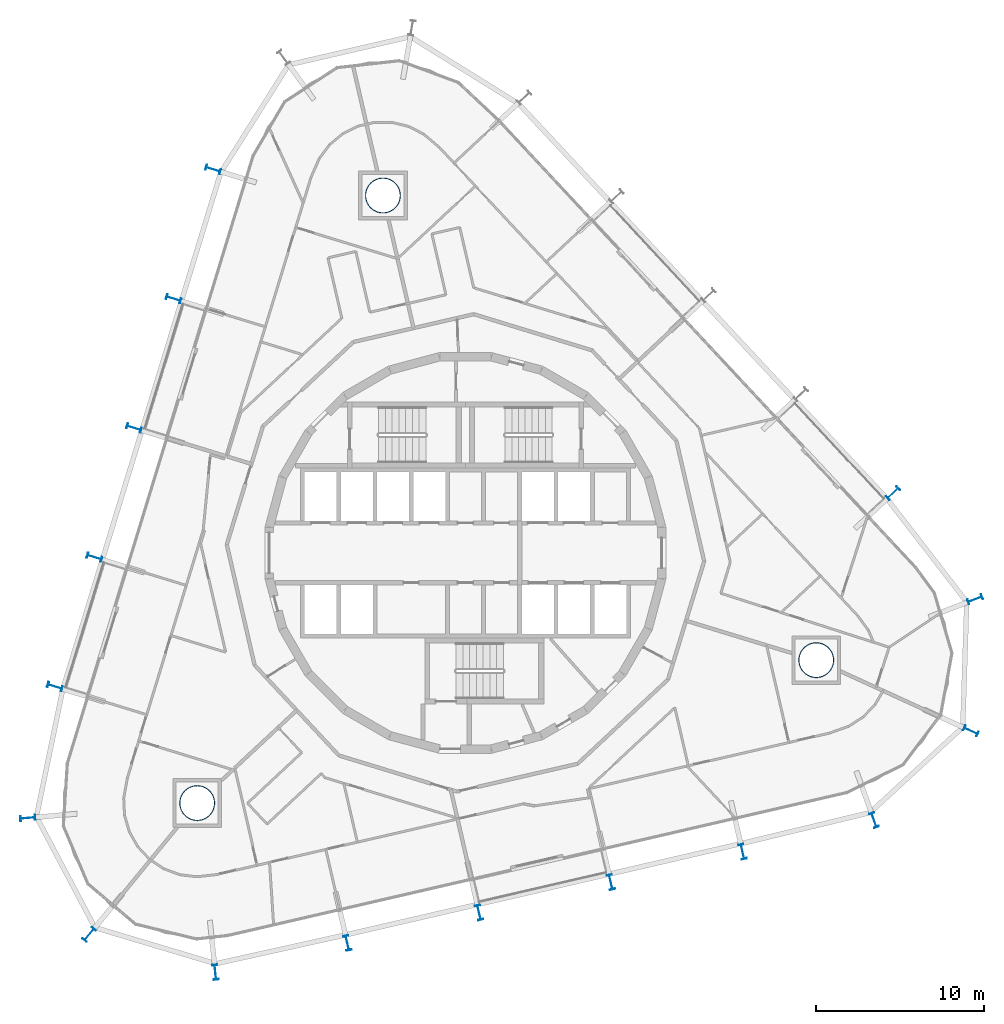
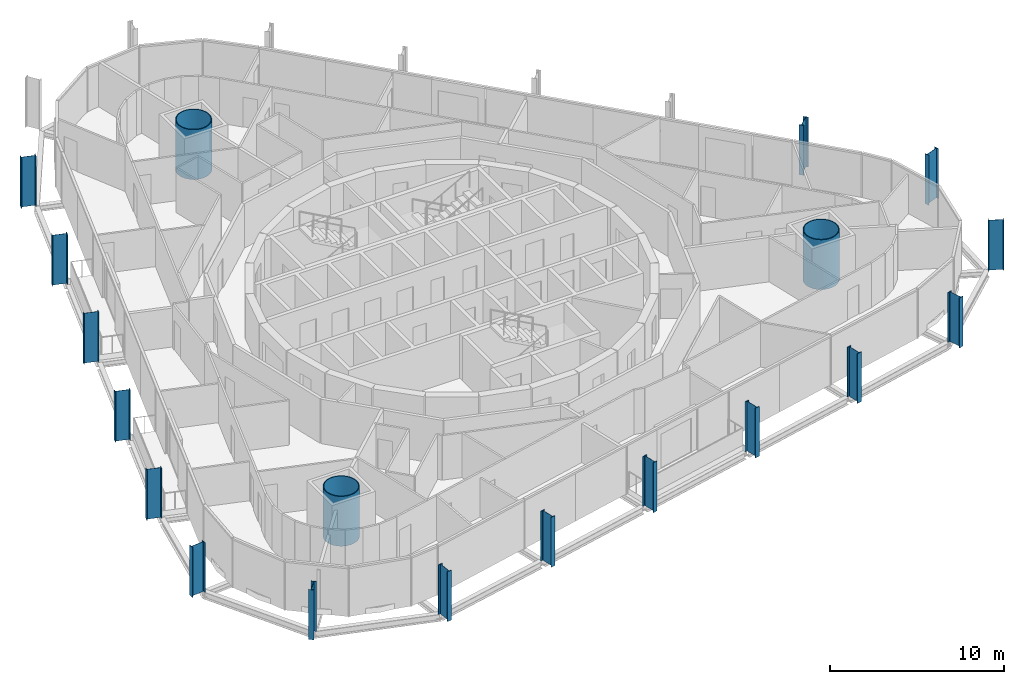
# One storey, part 1 of 18: 19 columns.
"""IFC4 building model written with IfcOpenShell, lengths in metres."""

from ifc_helpers import new_model, si_unit, direction, frame, origin, origin_2d, place, context, subcontext, project, spatial, hollow_circle, i_section, extrude, material, material_profile, profile_set, type_object, element, save


model = new_model("IFC4")

# Units and contexts
model_context = context("Model", 3, precision=1e-05, world=origin(), true_north=direction((0.0, 1.0)))
body_context = subcontext(model_context, "Body", "Model", "MODEL_VIEW")
ifc_project = project(units=[si_unit("LENGTHUNIT", "METRE"), si_unit("AREAUNIT", "SQUARE_METRE"), si_unit("VOLUMEUNIT", "CUBIC_METRE"), si_unit("PLANEANGLEUNIT", "RADIAN"), si_unit("MASSUNIT", "GRAM", prefix="KILO")], contexts=[model_context])

# Site, building, storey
site_placement = place(None, origin())
site = spatial("IfcSite", under=ifc_project, at=site_placement, CompositionType="ELEMENT")
building_placement = place(site_placement, origin())
building = spatial("IfcBuilding", under=site, at=building_placement, Name="Spindle Arch Residences", CompositionType="ELEMENT")
storey_placement = place(building_placement, frame((0.0, 0.0, 116.89990234375)))
storey = spatial("IfcBuildingStorey", under=building, at=storey_placement, Name="L28", CompositionType="ELEMENT", Elevation=116.89990234375)

# Columns
ifc_material_1 = material(Name="Steel S460ML, intumescent coating R 240", Category="steel")
ifc_material_profile_1 = material_profile(ifc_material_1, i_section(OverallWidth=0.300048828125, OverallDepth=0.89990234375, WebThickness=0.0185546875, FlangeThickness=0.034912109375, FilletRadius=0.030029296875, at=origin_2d()), Name="HEB 900")
ifc_profile_set_1 = profile_set([ifc_material_profile_1], Name="Steel S460ML, intumescent coating R 240")
column_type_1 = type_object("IfcColumnType", Name="Exoskeleton post HEB 900", PredefinedType="COLUMN", material=ifc_profile_set_1)
for number, where, z_axis, x_axis, name in (
    (1, (8.633544921875, -19.5498046875, -0.3798828125), (0.0, 0.0, 1.0), (-0.974370073419, -0.224951016948, 0.0), "Exoskeleton post 1"),
    (2, (16.45703125, -17.74365234375, -0.3798828125), (0.0, 0.0, 1.0), (-0.974370073419, -0.224951016948, 0.0), "Exoskeleton post 2"),
    (3, (24.26123046875, -15.86767578125, -0.3798828125), (0.0, 0.0, 1.0), (-0.940523325903, -0.339729117728, 0.0), "Exoskeleton post 3"),
    (4, (30.013916015625, -10.5712890625, -0.3798828125), (0.0, 0.0, 1.0), (-0.416143895931, -0.909298772615, 0.0), "Exoskeleton post 4"),
    (5, (30.261962890625, -2.756103515625, -0.3798828125), (0.0, 0.0, 1.0), (0.357664986637, -0.933849965109, 0.0), "Exoskeleton post 5"),
    (6, (25.390869140625, 3.550048828125, -0.3798828125), (0.0, 0.0, 1.0), (0.68199801865, -0.731354019992, 0.0), "Exoskeleton post 6"),
    (7, (-14.9873046875, 22.7734375, -0.3798828125), (0.0, 0.0, 1.0), (0.29237190653, 0.956304694264, 0.0), "Exoskeleton post 13"),
    (8, (-17.3349609375, 15.09521484375, -0.3798828125), (0.0, 0.0, 1.0), (0.29237190653, 0.956304694264, 0.0), "Exoskeleton post 14"),
    (9, (-19.682373046875, 7.4169921875, -0.3798828125), (0.0, 0.0, 1.0), (0.29237190653, 0.956304694264, 0.0), "Exoskeleton post 15"),
    (10, (-22.02978515625, -0.261474609375, -0.3798828125), (0.0, 0.0, 1.0), (0.29237190653, 0.956304694264, 0.0), "Exoskeleton post 16"),
    (11, (-24.37744140625, -7.939697265625, -0.3798828125), (0.0, 0.0, 1.0), (0.29237190653, 0.956304694264, 0.0), "Exoskeleton post 17"),
    (12, (-25.9912109375, -15.742919921875, -0.3798828125), (0.0, 0.0, 1.0), (-0.087904987966, 0.996128863697, 0.0), "Exoskeleton post 18"),
    (13, (-22.34228515625, -22.65869140625, -0.3798828125), (0.0, 0.0, 1.0), (-0.772637925649, 0.634846938915, 0.0), "Exoskeleton post 19"),
    (14, (-14.85009765625, -24.897216796875, -0.3798828125), (0.0, 0.0, 1.0), (-0.994264182944, -0.106952019682, 0.0), "Exoskeleton post 20"),
    (15, (-7.01318359375, -23.162109375, -0.3798828125), (0.0, 0.0, 1.0), (-0.974370073419, -0.224951016948, 0.0), "Exoskeleton post 21"),
    (16, (0.810302734375, -21.35595703125, -0.3798828125), (0.0, 0.0, 1.0), (-0.974370073419, -0.224951016948, 0.0), "Exoskeleton post 22"),
):
    element("IfcColumn", number, at=place(storey_placement, frame(where, z_axis=z_axis, x_axis=x_axis)), inside=storey, type_object=column_type_1, Name=name, PredefinedType="COLUMN", context=body_context, shape_type="SweptSolid", body=[
        extrude(i_section(OverallWidth=0.300048828125, OverallDepth=0.89990234375, WebThickness=0.0185546875, FlangeThickness=0.034912109375, FilletRadius=0.030029296875, at=origin_2d()), origin(), (0.0, 0.0, 1.0), 3.5),
    ])
ifc_material_2 = material(Name="Concrete C50/60 filled steel tube S460ML, intumescent coating R 240", Category="concrete")
ifc_material_profile_2 = material_profile(ifc_material_2, hollow_circle(Radius=1.050048828125, WallThickness=0.050048828125, at=origin_2d()), Name="CFT D2100x50")
ifc_profile_set_2 = profile_set([ifc_material_profile_2], Name="Concrete C50/60 filled steel tube S460ML, intumescent coating R 240")
column_type_2 = type_object("IfcColumnType", Name="Mega-column CFT D2100x50", PredefinedType="COLUMN", material=ifc_profile_set_2)
for number, where, z_axis, x_axis, name in (
    (17, (20.830078125, -6.368408203125, -0.3798828125), (0.0, 0.0, 1.0), (1.0, 0.0, 0.0), "Mega-column 1"),
    (18, (-4.89990234375, 21.223388671875, -0.3798828125), (0.0, 0.0, 1.0), (1.0, 0.0, 0.0), "Mega-column 2"),
    (19, (-15.93017578125, -14.855224609375, -0.3798828125), (0.0, 0.0, 1.0), (1.0, 0.0, 0.0), "Mega-column 3"),
):
    element("IfcColumn", number, at=place(storey_placement, frame(where, z_axis=z_axis, x_axis=x_axis)), inside=storey, type_object=column_type_2, Name=name, PredefinedType="COLUMN", context=body_context, shape_type="SweptSolid", body=[
        extrude(hollow_circle(Radius=1.050048828125, WallThickness=0.050048828125, at=origin_2d()), origin(), (0.0, 0.0, 1.0), 3.5),
    ])

save(model, "model.ifc")
